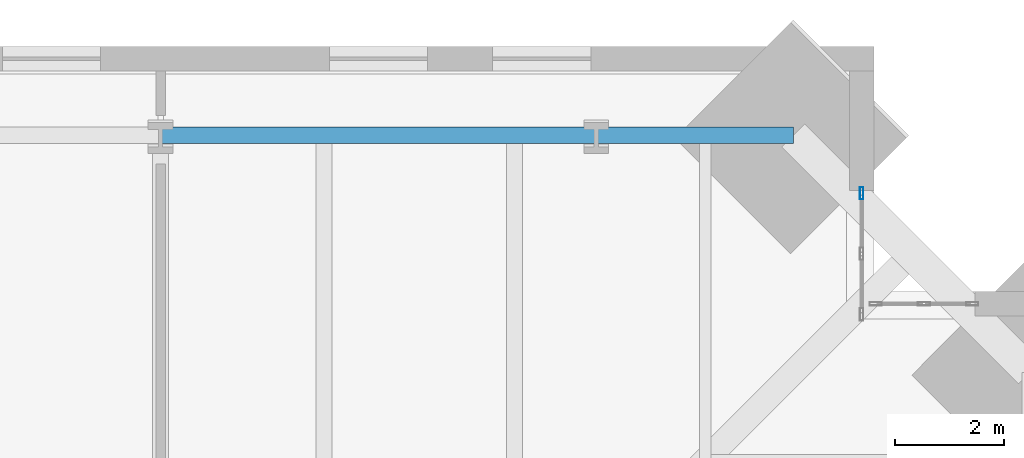
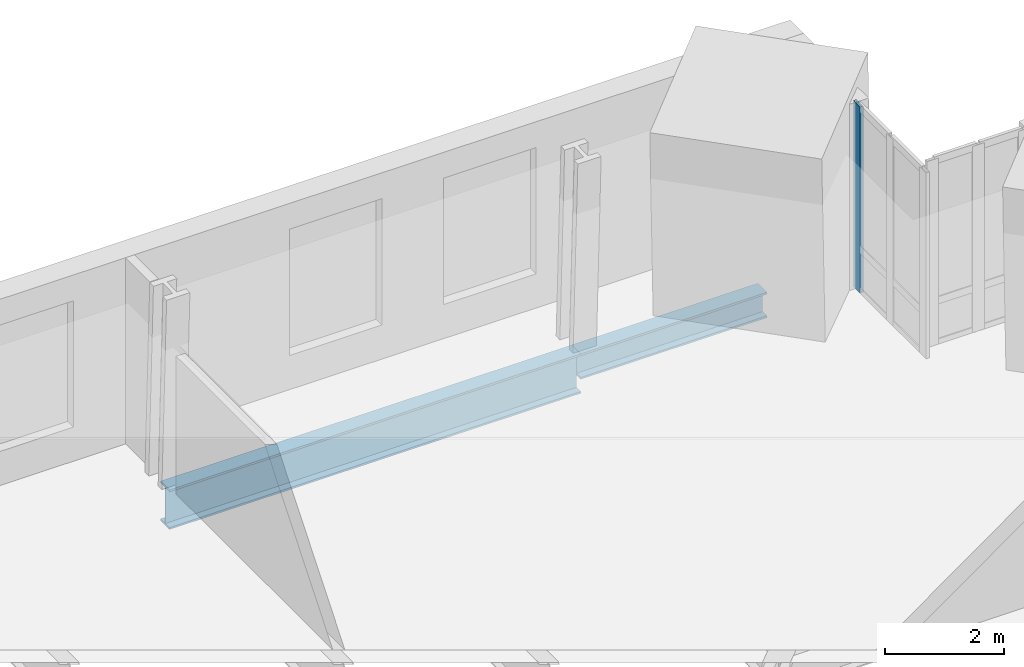
# One storey, part 11 of 18: 2 beams, 1 member, 1 element without a shape of its own.
"""IFC4 building model written with IfcOpenShell, lengths in metres."""

from ifc_helpers import new_model, si_unit, direction, frame, origin, origin_2d, place, context, subcontext, project, spatial, hollow_rectangle, i_section, extrude, material, material_profile, profile_set, type_object, element, aggregate, save


model = new_model("IFC4")

# Units and contexts
model_context = context("Model", 3, precision=1e-05, world=origin(), true_north=direction((0.0, 1.0)))
body_context = subcontext(model_context, "Body", "Model", "MODEL_VIEW")
ifc_project = project(units=[si_unit("LENGTHUNIT", "METRE"), si_unit("AREAUNIT", "SQUARE_METRE"), si_unit("VOLUMEUNIT", "CUBIC_METRE"), si_unit("PLANEANGLEUNIT", "RADIAN"), si_unit("MASSUNIT", "GRAM", prefix="KILO")], contexts=[model_context])

# Site, building, storey
site_placement = place(None, origin())
site = spatial("IfcSite", under=ifc_project, at=site_placement, CompositionType="ELEMENT")
building_placement = place(site_placement, origin())
building = spatial("IfcBuilding", under=site, at=building_placement, Name="Peilmerk Tower", CompositionType="ELEMENT")
storey_placement = place(building_placement, frame((0.0, 0.0, 171.800048828125)))
storey = spatial("IfcBuildingStorey", under=building, at=storey_placement, Name="L36", CompositionType="ELEMENT", Elevation=171.800048828125)

# Beams
ifc_material_1 = material(Name="Steel S355", Category="steel")
ifc_material_profile_1 = material_profile(ifc_material_1, i_section(OverallWidth=0.302978515625, OverallDepth=0.81396484375, WebThickness=0.02099609375, FlangeThickness=0.0400390625, at=origin_2d()), Name="HEM 800")
ifc_profile_set_1 = profile_set([ifc_material_profile_1], Name="Steel S355")
beam_type_1 = type_object("IfcBeamType", Name="B15 HEM 800 edge beam", PredefinedType="SPANDREL", material=ifc_profile_set_1)
beam_1_placement = place(storey_placement, frame((16.0, 23.96923828125, -0.5771484375), z_axis=(-1.0, 0.0, 0.0), x_axis=(0.0, -1.0, 0.0)))
element("IfcBeam", 1, at=beam_1_placement, inside=storey, type_object=beam_type_1, Name="Edge beam L36", PredefinedType="SPANDREL", context=body_context, shape_type="SweptSolid", body=[
    extrude(i_section(OverallWidth=0.302978515625, OverallDepth=0.81396484375, WebThickness=0.02099609375, FlangeThickness=0.0400390625, at=origin_2d()), origin(), (0.0, 0.0, 1.0), 8.0),
])
ifc_material_profile_2 = material_profile(ifc_material_1, i_section(OverallWidth=0.305908203125, OverallDepth=0.52392578125, WebThickness=0.02099609375, FlangeThickness=0.0400390625, at=origin_2d()), Name="HEM 500")
ifc_profile_set_2 = profile_set([ifc_material_profile_2], Name="Steel S355")
beam_type_2 = type_object("IfcBeamType", Name="B33 HEM 500 edge beam", PredefinedType="SPANDREL", material=ifc_profile_set_2)
beam_2_placement = place(storey_placement, frame((19.619384765625, 23.96923828125, -0.43212890625), z_axis=(-1.0, 0.0, 0.0), x_axis=(0.0, -1.0, 0.0)))
element("IfcBeam", 2, at=beam_2_placement, inside=storey, type_object=beam_type_2, Name="Edge beam L36", PredefinedType="SPANDREL", context=body_context, shape_type="SweptSolid", body=[
    extrude(i_section(OverallWidth=0.305908203125, OverallDepth=0.52392578125, WebThickness=0.02099609375, FlangeThickness=0.0400390625, at=origin_2d()), origin(), (0.0, 0.0, 1.0), 3.619384765625),
])

# Curtain wall, member
ifc_material_2 = material(Name="Aluminium stick curtain wall", Category="aluminium")
curtain_wall_type = type_object("IfcCurtainWallType", Name="CW3 stick curtain wall, 2250 module", PredefinedType="NOTDEFINED", material=ifc_material_2)
curtain_wall_placement = place(storey_placement, origin())
curtain_wall = element("IfcCurtainWall", 3, at=curtain_wall_placement, inside=storey, type_object=curtain_wall_type, Name="Curtain wall CW3 NEA L36", PredefinedType="NOTDEFINED")
ifc_material_3 = material(Name="Aluminium EN AW-6063 T6", Category="aluminium")
ifc_material_profile_3 = material_profile(ifc_material_3, hollow_rectangle(XDim=0.06494140625, YDim=0.22509765625, WallThickness=0.00390625, at=origin_2d()), Name="AL 225x65x4")
ifc_profile_set_3 = profile_set([ifc_material_profile_3], Name="Aluminium EN AW-6063 T6")
member_type = type_object("IfcMemberType", Name="CW3-M AL 225x65x4 mullion", PredefinedType="MULLION", material=ifc_profile_set_3)
member_placement = place(storey_placement, frame((20.875, 22.90625, 0.0), z_axis=(0.0, 0.0, 1.0), x_axis=(-1.0, 0.0, 0.0)))
member = element("IfcMember", 4, at=member_placement, type_object=member_type, Name="CW3 mullion 3", PredefinedType="MULLION", context=body_context, shape_type="SweptSolid", body=[
    extrude(hollow_rectangle(XDim=0.06494140625, YDim=0.22509765625, WallThickness=0.00390625, at=origin_2d()), origin(), (0.0, 0.0, 1.0), 3.829833984375),
])
aggregate(curtain_wall, [member])

save(model, "model.ifc")
